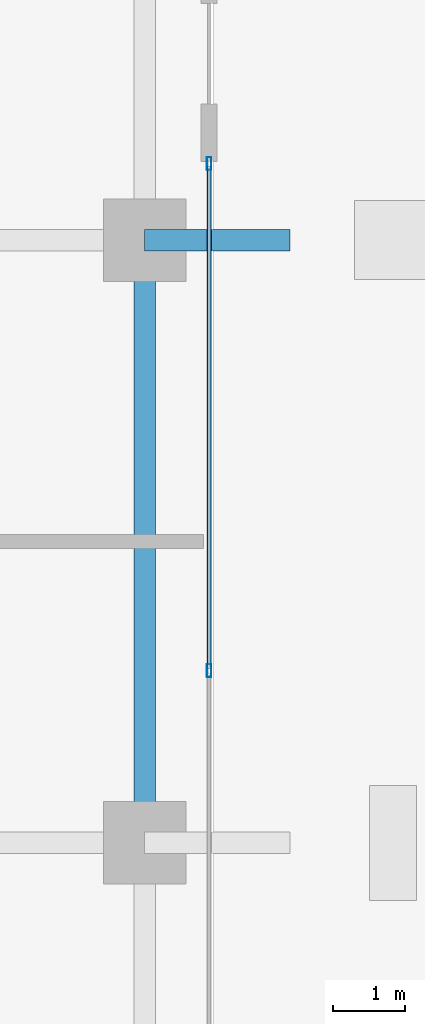
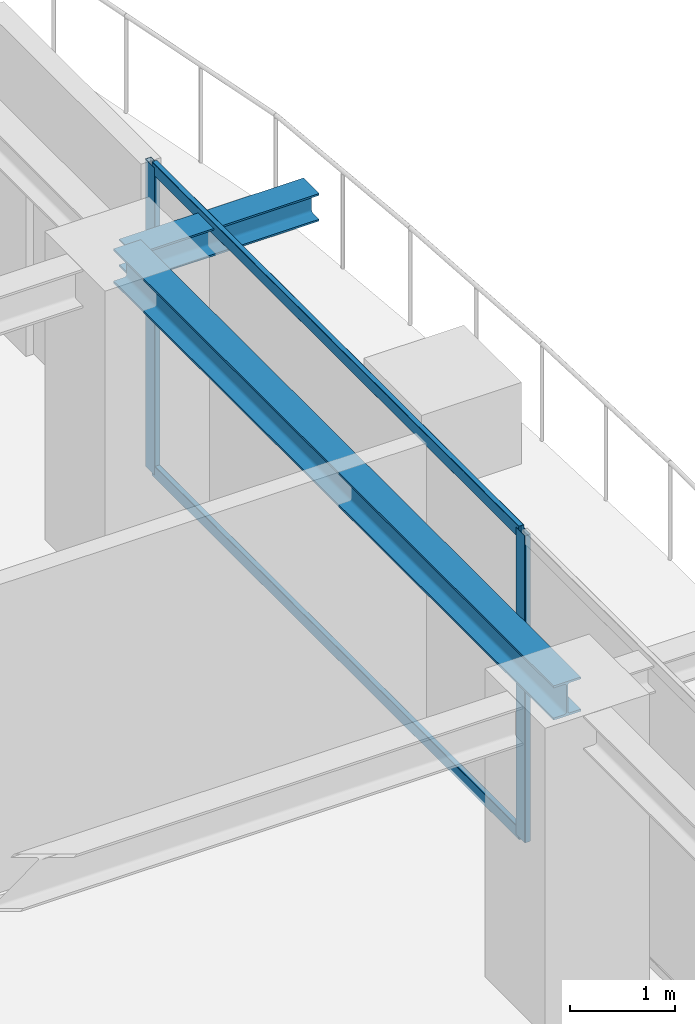
# One storey, part 15 of 38: 4 members, 2 beams, 1 element without a shape of its own.
"""IFC4 building model written with IfcOpenShell, lengths in metres."""

from ifc_helpers import new_model, si_unit, direction, frame, origin, origin_2d, place, context, subcontext, project, spatial, hollow_rectangle, i_section, extrude, source, transform, mapped, material, layer, layer_set, material_profile, profile_set, type_object, element, aggregate, save


model = new_model("IFC4")

# Units and contexts
model_context = context("Model", 3, precision=1e-05, world=origin(), true_north=direction((0.0, 1.0)))
body_context = subcontext(model_context, "Body", "Model", "MODEL_VIEW")
ifc_project = project(units=[si_unit("LENGTHUNIT", "METRE"), si_unit("AREAUNIT", "SQUARE_METRE"), si_unit("VOLUMEUNIT", "CUBIC_METRE"), si_unit("PLANEANGLEUNIT", "RADIAN"), si_unit("MASSUNIT", "GRAM", prefix="KILO")], contexts=[model_context])

# Site, building, storey
site_placement = place(None, origin())
site = spatial("IfcSite", under=ifc_project, at=site_placement, CompositionType="ELEMENT")
building_placement = place(site_placement, origin())
building = spatial("IfcBuilding", under=site, at=building_placement, Name="Serunith Strait Residences", CompositionType="ELEMENT")
storey_placement = place(building_placement, frame((0.0, 0.0, 264.35009765625)))
storey = spatial("IfcBuildingStorey", under=building, at=storey_placement, Name="L66", CompositionType="ELEMENT", Elevation=264.35009765625)

# Beams
ifc_material_1 = material(Name="Steel S355J2", Category="steel")
ifc_material_profile_1 = material_profile(ifc_material_1, i_section(OverallWidth=0.300048828125, OverallDepth=0.39990234375, WebThickness=0.013427734375, FlangeThickness=0.02392578125, FilletRadius=0.027099609375, at=origin_2d()), Name="HEB 400")
ifc_profile_set_1 = profile_set([ifc_material_profile_1], Name="Steel S355J2")
beam_type_1 = type_object("IfcBeamType", Name="BM-HEB400", PredefinedType="BEAM", material=ifc_profile_set_1)
shared_shape_1 = source(origin(), body_context, "Body", "SweptSolid", [
    extrude(i_section(OverallWidth=0.300048828125, OverallDepth=0.39990234375, WebThickness=0.013427734375, FlangeThickness=0.02392578125, FilletRadius=0.027099609375, at=origin_2d()), origin(), (0.0, 0.0, 1.0), 8.39990234375),
])
beam_1_placement = place(storey_placement, frame((56.5, 21.0, 3.386962890625), z_axis=(0.0, 1.0, 0.0), x_axis=(-1.0, 0.0, 0.0)))
element("IfcBeam", 1, at=beam_1_placement, inside=storey, type_object=beam_type_1, Name="L66 Perimeter Ring Beam 06", PredefinedType="BEAM", context=body_context, shape_type="MappedRepresentation", body=[
    mapped(shared_shape_1, transform((0.0, 0.0, 0.0), scale=1.0)),
])
ifc_material_profile_2 = material_profile(ifc_material_1, i_section(OverallWidth=0.300048828125, OverallDepth=0.320068359375, WebThickness=0.011474609375, FlangeThickness=0.0205078125, FilletRadius=0.027099609375, at=origin_2d()), Name="HEB 320")
ifc_profile_set_2 = profile_set([ifc_material_profile_2], Name="Steel S355J2")
beam_type_2 = type_object("IfcBeamType", Name="BM-HEB320", PredefinedType="BEAM", material=ifc_profile_set_2)
shared_shape_2 = source(origin(), body_context, "Body", "SweptSolid", [
    extrude(i_section(OverallWidth=0.300048828125, OverallDepth=0.320068359375, WebThickness=0.011474609375, FlangeThickness=0.0205078125, FilletRadius=0.027099609375, at=origin_2d()), origin(), (0.0, 0.0, 1.0), 2.030029296875),
])
beam_2_placement = place(storey_placement, frame((56.5, 29.39990234375, 3.39697265625), z_axis=(1.0, 0.0, 0.0), x_axis=(0.0, 1.0, 0.0)))
element("IfcBeam", 2, at=beam_2_placement, inside=storey, type_object=beam_type_2, Name="L67 Cantilevered Balcony Rib TC-E3", PredefinedType="BEAM", context=body_context, shape_type="MappedRepresentation", body=[
    mapped(shared_shape_2, transform((0.0, 0.0, 0.0), scale=1.0)),
])

# Curtain wall, members
ifc_material_2 = material(Name="Pale-Champagne Anodised Aluminium", Category="aluminium")
ifc_layer = layer(ifc_material_2, 0.199951171875, Name="Pale-Champagne Anodised Aluminium")
ifc_layer_set = layer_set([ifc_layer], Name="Pale-Champagne Anodised Aluminium")
curtain_wall_type = type_object("IfcCurtainWallType", Name="CW-SYS4", PredefinedType="NOTDEFINED", material=ifc_layer_set)
curtain_wall_placement = place(storey_placement, origin())
curtain_wall = element("IfcCurtainWall", 3, at=curtain_wall_placement, inside=storey, type_object=curtain_wall_type, Name="L66 E Unitised Fritted Curtain Wall", PredefinedType="NOTDEFINED")
ifc_material_profile_3 = material_profile(ifc_material_2, hollow_rectangle(XDim=0.06494140625, YDim=0.179931640625, WallThickness=0.00341796875, InnerFilletRadius=0.00537109375, OuterFilletRadius=0.0087890625, at=origin_2d()), Name="ALU 180x65x3.5")
ifc_profile_set_3 = profile_set([ifc_material_profile_3], Name="Pale-Champagne Anodised Aluminium")
member_type_1 = type_object("IfcMemberType", Name="CW-SYS4-MULL", PredefinedType="MULLION", material=ifc_profile_set_3)
shared_shape_3 = source(origin(), body_context, "Body", "SweptSolid", [
    extrude(hollow_rectangle(XDim=0.06494140625, YDim=0.179931640625, WallThickness=0.00341796875, InnerFilletRadius=0.00537109375, OuterFilletRadius=0.0087890625, at=origin_2d()), origin(), (0.0, 0.0, 1.0), 3.574951171875),
])
member_1_placement = place(storey_placement, frame((57.39990234375, 23.39990234375, 0.0), z_axis=(0.0, 0.0, 1.0), x_axis=(-1.0, 0.0, 0.0)))
member_1 = element("IfcMember", 4, at=member_1_placement, type_object=member_type_1, Name="CW-4 mullion 3", PredefinedType="MULLION", context=body_context, shape_type="MappedRepresentation", body=[
    mapped(shared_shape_3, transform((0.0, 0.0, 0.0), scale=1.0)),
])
member_2_placement = place(storey_placement, frame((57.39990234375, 30.467529296875, 0.0), z_axis=(0.0, 0.0, 1.0), x_axis=(-1.0, 0.0, 0.0)))
member_2 = element("IfcMember", 5, at=member_2_placement, type_object=member_type_1, Name="CW-4 mullion 4", PredefinedType="MULLION", context=body_context, shape_type="MappedRepresentation", body=[
    mapped(shared_shape_3, transform((0.0, 0.0, 0.0), scale=1.0)),
])
ifc_material_profile_4 = material_profile(ifc_material_2, hollow_rectangle(XDim=0.06005859375, YDim=0.139892578125, WallThickness=0.00341796875, InnerFilletRadius=0.00537109375, OuterFilletRadius=0.0087890625, at=origin_2d()), Name="ALU 140x60x3.5")
ifc_profile_set_4 = profile_set([ifc_material_profile_4], Name="Pale-Champagne Anodised Aluminium")
member_type_2 = type_object("IfcMemberType", Name="CW-SYS4-TRAN", PredefinedType="USERDEFINED", material=ifc_profile_set_4)
shared_shape_4 = source(origin(), body_context, "Body", "SweptSolid", [
    extrude(hollow_rectangle(XDim=0.06005859375, YDim=0.139892578125, WallThickness=0.00341796875, InnerFilletRadius=0.00537109375, OuterFilletRadius=0.0087890625, at=origin_2d()), origin(), (0.0, 0.0, 1.0), 7.00244140625),
])
member_3_placement = place(storey_placement, frame((57.39990234375, 23.4326171875, 0.02978515625), z_axis=(0.0, 1.0, 0.0), x_axis=(-1.0, 0.0, 0.0)))
member_3 = element("IfcMember", 6, at=member_3_placement, type_object=member_type_2, Name="CW-4 transom 3.1", ObjectType="TRANSOM", PredefinedType="USERDEFINED", context=body_context, shape_type="MappedRepresentation", body=[
    mapped(shared_shape_4, transform((0.0, 0.0, 0.0), scale=1.0)),
])
member_4_placement = place(storey_placement, frame((57.39990234375, 23.4326171875, 3.544921875), z_axis=(0.0, 1.0, 0.0), x_axis=(-1.0, 0.0, 0.0)))
member_4 = element("IfcMember", 7, at=member_4_placement, type_object=member_type_2, Name="CW-4 transom 3.2", ObjectType="TRANSOM", PredefinedType="USERDEFINED", context=body_context, shape_type="MappedRepresentation", body=[
    mapped(shared_shape_4, transform((0.0, 0.0, 0.0), scale=1.0)),
])
aggregate(curtain_wall, [member_1, member_2, member_3, member_4])

save(model, "model.ifc")
